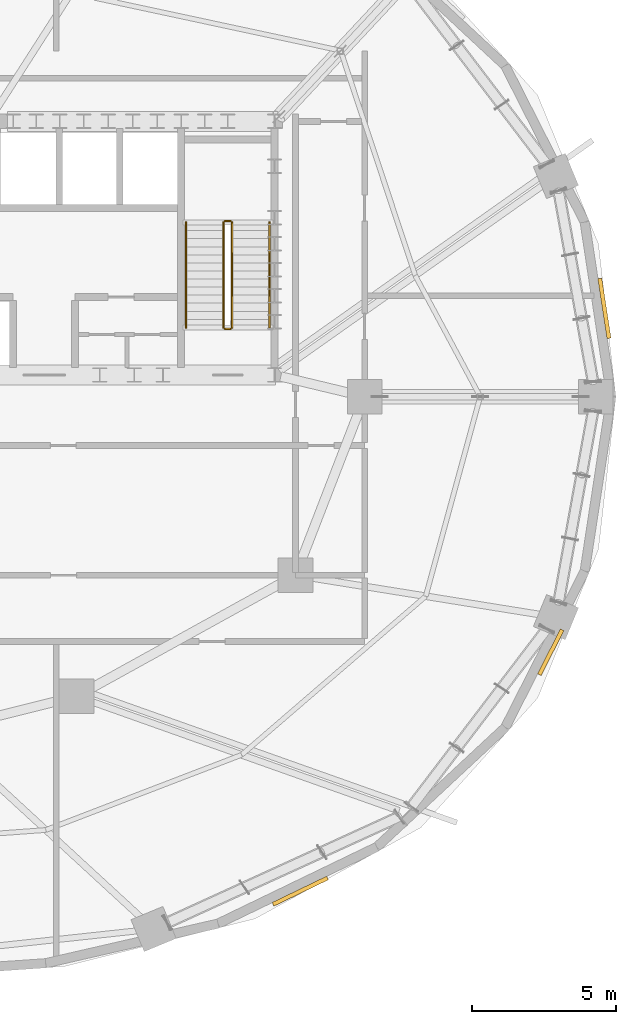
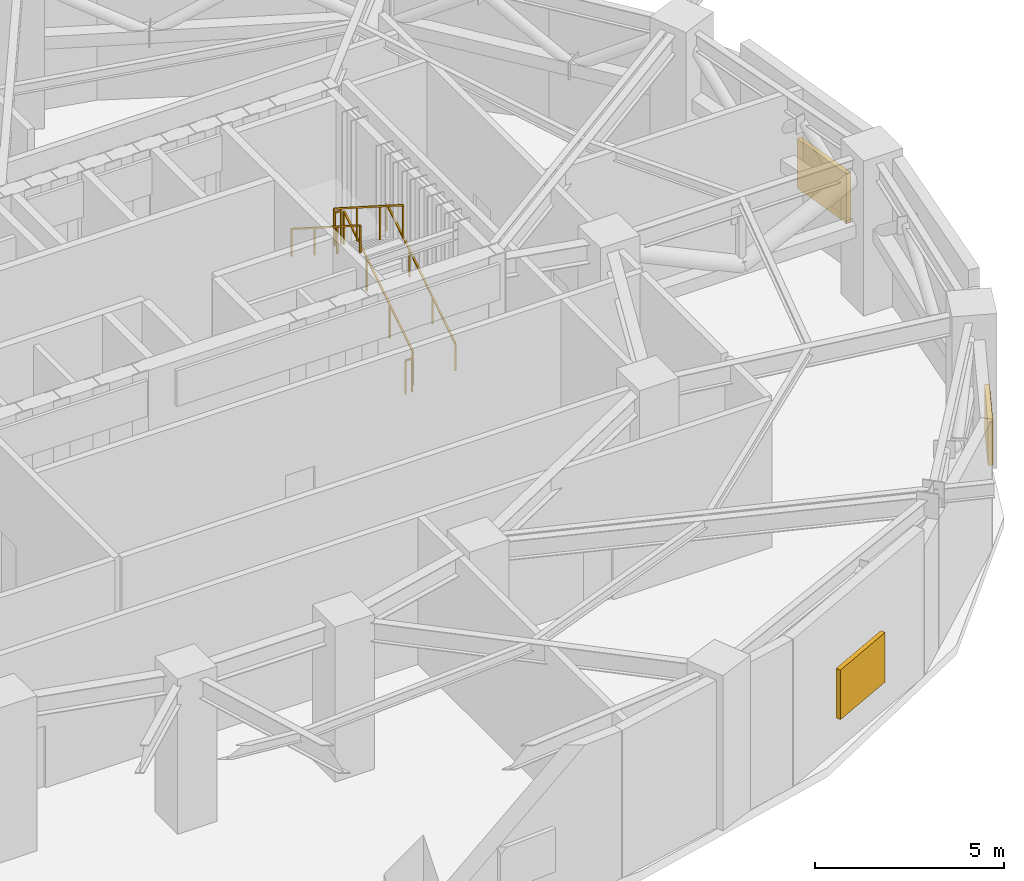
# One storey, part 16 of 17: 6 railings, 3 shading devices.
"""IFC4 building model written with IfcOpenShell, lengths in metres."""

from ifc_helpers import new_model, si_unit, direction, frame, origin, origin_2d, place, context, subcontext, project, spatial, rectangle, extrude, material, type_object, element, save


model = new_model("IFC4")

# Units and contexts
model_context = context("Model", 3, precision=1e-05, world=origin(), true_north=direction((0.0, 1.0)))
body_context = subcontext(model_context, "Body", "Model", "MODEL_VIEW")
ifc_project = project(units=[si_unit("LENGTHUNIT", "METRE"), si_unit("AREAUNIT", "SQUARE_METRE"), si_unit("VOLUMEUNIT", "CUBIC_METRE"), si_unit("PLANEANGLEUNIT", "RADIAN"), si_unit("MASSUNIT", "GRAM", prefix="KILO")], contexts=[model_context])

# Site, building, storey
site_placement = place(None, origin())
site = spatial("IfcSite", under=ifc_project, at=site_placement, CompositionType="ELEMENT")
building_placement = place(site_placement, origin())
building = spatial("IfcBuilding", under=site, at=building_placement, Name="Haldorwick Loom Tower", CompositionType="ELEMENT")
storey_placement = place(building_placement, frame((0.0, 0.0, 149.449951171875)))
storey = spatial("IfcBuildingStorey", under=building, at=storey_placement, Name="L40", CompositionType="ELEMENT", Elevation=149.449951171875)

# Railings
ifc_material_1 = material(Name="Steel CSA G40.21 350W", Category="steel")
railing_type_1 = type_object("IfcRailingType", Name="ARC-RLG-GUARD112", PredefinedType="GUARDRAIL", material=ifc_material_1)
railing_1_placement = place(storey_placement, frame((48.60009765625, 28.39990234375, 0.1787109375)))
element("IfcRailing", 1, at=railing_1_placement, inside=storey, type_object=railing_type_1, Name="L40 ST-02 stair guard 1", PredefinedType="GUARDRAIL", context=body_context, shape_type="SweptSolid", body=[
    extrude(rectangle(XDim=0.048095703125, YDim=0.048095703125, at=origin_2d()), frame((0.0, 0.0, 1.076171875), z_axis=(0.0, 0.843153495434, 0.537672933239), x_axis=(-1.0, 0.0, 0.0)), (0.0, 0.0, 1.0), 4.3173828125),
    extrude(rectangle(XDim=0.0419921875, YDim=0.0419921875, at=origin_2d()), origin(), (0.0, 0.0, 1.0), 1.052001953125),
    extrude(rectangle(XDim=0.0419921875, YDim=0.0419921875, at=origin_2d()), frame((0.0, 1.21337890625, 0.773681640625)), (0.0, 0.0, 1.0), 1.052001953125),
    extrude(rectangle(XDim=0.0419921875, YDim=0.0419921875, at=origin_2d()), frame((0.0, 2.4267578125, 1.547607421875)), (0.0, 0.0, 1.0), 1.052001953125),
    extrude(rectangle(XDim=0.0419921875, YDim=0.0419921875, at=origin_2d()), frame((0.0, 3.64013671875, 2.3212890625)), (0.0, 0.0, 1.0), 1.052001953125),
])
railing_2_placement = place(storey_placement, frame((48.550048828125, 32.090087890625, 2.5)))
element("IfcRailing", 2, at=railing_2_placement, inside=storey, type_object=railing_type_1, Name="L40 ST-02 stair guard 2", PredefinedType="GUARDRAIL", context=body_context, shape_type="SweptSolid", body=[
    extrude(rectangle(XDim=0.048095703125, YDim=0.048095703125, at=origin_2d()), frame((0.0, 0.0, 1.076171875), z_axis=(-1.0, 0.0, 0.0), x_axis=(0.0, -1.0, 0.0)), (0.0, 0.0, 1.0), 0.199951171875),
    extrude(rectangle(XDim=0.0419921875, YDim=0.0419921875, at=origin_2d()), origin(), (0.0, 0.0, 1.0), 1.052001953125),
    extrude(rectangle(XDim=0.0419921875, YDim=0.0419921875, at=origin_2d()), frame((-0.199951171875, 0.0, 0.0)), (0.0, 0.0, 1.0), 1.052001953125),
])
railing_3_placement = place(storey_placement, frame((48.300048828125, 32.0400390625, 2.6787109375)))
element("IfcRailing", 3, at=railing_3_placement, inside=storey, type_object=railing_type_1, Name="L40 ST-02 stair guard 3", PredefinedType="GUARDRAIL", context=body_context, shape_type="SweptSolid", body=[
    extrude(rectangle(XDim=0.048095703125, YDim=0.048095703125, at=origin_2d()), frame((0.0, 0.0, 1.076171875), z_axis=(0.0, -0.843153495434, 0.537672933239), x_axis=(1.0, 0.0, 0.0)), (0.0, 0.0, 1.0), 4.3173828125),
    extrude(rectangle(XDim=0.0419921875, YDim=0.0419921875, at=origin_2d()), origin(), (0.0, 0.0, 1.0), 1.052001953125),
    extrude(rectangle(XDim=0.0419921875, YDim=0.0419921875, at=origin_2d()), frame((0.0, -1.21337890625, 0.773681640625)), (0.0, 0.0, 1.0), 1.052001953125),
    extrude(rectangle(XDim=0.0419921875, YDim=0.0419921875, at=origin_2d()), frame((0.0, -2.4267578125, 1.547607421875)), (0.0, 0.0, 1.0), 1.052001953125),
    extrude(rectangle(XDim=0.0419921875, YDim=0.0419921875, at=origin_2d()), frame((0.0, -3.64013671875, 2.3212890625)), (0.0, 0.0, 1.0), 1.052001953125),
])
railing_4_placement = place(storey_placement, frame((48.550048828125, 28.35009765625, 0.0)))
element("IfcRailing", 4, at=railing_4_placement, inside=storey, type_object=railing_type_1, Name="L40 ST-02 stair guard 4", PredefinedType="GUARDRAIL", context=body_context, shape_type="SweptSolid", body=[
    extrude(rectangle(XDim=0.048095703125, YDim=0.048095703125, at=origin_2d()), frame((0.0, 0.0, 1.076171875), z_axis=(-1.0, 0.0, 0.0), x_axis=(0.0, -1.0, 0.0)), (0.0, 0.0, 1.0), 0.199951171875),
    extrude(rectangle(XDim=0.0419921875, YDim=0.0419921875, at=origin_2d()), origin(), (0.0, 0.0, 1.0), 1.052001953125),
    extrude(rectangle(XDim=0.0419921875, YDim=0.0419921875, at=origin_2d()), frame((-0.199951171875, 0.0, 0.0)), (0.0, 0.0, 1.0), 1.052001953125),
])
railing_type_2 = type_object("IfcRailingType", Name="ARC-RLG-HAND092", PredefinedType="HANDRAIL", material=ifc_material_1)
railing_5_placement = place(storey_placement, frame((49.89990234375, 28.39990234375, 0.1787109375)))
element("IfcRailing", 5, at=railing_5_placement, inside=storey, type_object=railing_type_2, Name="L40 ST-02 stair handrail 1", PredefinedType="HANDRAIL", context=body_context, shape_type="SweptSolid", body=[
    extrude(rectangle(XDim=0.048095703125, YDim=0.048095703125, at=origin_2d()), frame((0.0, 0.0, 0.8759765625), z_axis=(0.0, 0.843153495434, 0.537672933239), x_axis=(-1.0, 0.0, 0.0)), (0.0, 0.0, 1.0), 4.3173828125),
    extrude(rectangle(XDim=0.0419921875, YDim=0.0419921875, at=origin_2d()), origin(), (0.0, 0.0, 1.0), 0.851806640625),
    extrude(rectangle(XDim=0.0419921875, YDim=0.0419921875, at=origin_2d()), frame((0.0, 1.21337890625, 0.773681640625)), (0.0, 0.0, 1.0), 0.851806640625),
    extrude(rectangle(XDim=0.0419921875, YDim=0.0419921875, at=origin_2d()), frame((0.0, 2.4267578125, 1.547607421875)), (0.0, 0.0, 1.0), 0.851806640625),
    extrude(rectangle(XDim=0.0419921875, YDim=0.0419921875, at=origin_2d()), frame((0.0, 3.64013671875, 2.3212890625)), (0.0, 0.0, 1.0), 0.851806640625),
])
railing_6_placement = place(storey_placement, frame((47.0, 32.0400390625, 2.6787109375)))
element("IfcRailing", 6, at=railing_6_placement, inside=storey, type_object=railing_type_2, Name="L40 ST-02 stair handrail 2", PredefinedType="HANDRAIL", context=body_context, shape_type="SweptSolid", body=[
    extrude(rectangle(XDim=0.048095703125, YDim=0.048095703125, at=origin_2d()), frame((0.0, 0.0, 0.8759765625), z_axis=(0.0, -0.843153495434, 0.537672933239), x_axis=(1.0, 0.0, 0.0)), (0.0, 0.0, 1.0), 4.3173828125),
    extrude(rectangle(XDim=0.0419921875, YDim=0.0419921875, at=origin_2d()), origin(), (0.0, 0.0, 1.0), 0.851806640625),
    extrude(rectangle(XDim=0.0419921875, YDim=0.0419921875, at=origin_2d()), frame((0.0, -1.21337890625, 0.773681640625)), (0.0, 0.0, 1.0), 0.851806640625),
    extrude(rectangle(XDim=0.0419921875, YDim=0.0419921875, at=origin_2d()), frame((0.0, -2.4267578125, 1.547607421875)), (0.0, 0.0, 1.0), 0.851806640625),
    extrude(rectangle(XDim=0.0419921875, YDim=0.0419921875, at=origin_2d()), frame((0.0, -3.64013671875, 2.3212890625)), (0.0, 0.0, 1.0), 0.851806640625),
])

# Shading devices
ifc_material_2 = material(Name="Extruded Anodized Aluminium Weather Louvre", Category="aluminium")
shading_device_type_1 = type_object("IfcShadingDeviceType", Name="ARC-SHD-LOUVRE", PredefinedType="JALOUSIE", material=ifc_material_2)
for number, where, z_axis, x_axis, name in (
    (7, (61.518310546875, 29.0615234375, 1.050048828125), (0.0, 0.0, 1.0), (-0.151260820247, 0.988493886809, 0.0), "L40 Mechanical Intake Weather Louvre 1"),
    (8, (50.96435546875, 8.8388671875, 1.050048828125), (0.0, 0.0, 1.0), (0.900318771402, 0.435231099372, 0.0), "L40 Mechanical Intake Weather Louvre 21"),
):
    element("IfcShadingDevice", number, at=place(storey_placement, frame(where, z_axis=z_axis, x_axis=x_axis)), inside=storey, type_object=shading_device_type_1, Name=name, PredefinedType="JALOUSIE", context=body_context, shape_type="SweptSolid", body=[
        extrude(rectangle(XDim=2.10009765625, YDim=0.139892578125, at=origin_2d()), origin(), (0.0, 0.0, 1.0), 1.60009765625),
    ])
shading_device_type_2 = type_object("IfcShadingDeviceType", Name="ARC-SHD-LOUVRE2", PredefinedType="JALOUSIE", material=ifc_material_2)
shading_device_placement = place(storey_placement, frame((59.65625, 17.129638671875, 1.150146484375), z_axis=(0.0, 0.0, 1.0), x_axis=(0.452434709312, 0.891797529605, 0.0)))
element("IfcShadingDevice", 9, at=shading_device_placement, inside=storey, type_object=shading_device_type_2, Name="L40 Mechanical Intake Weather Louvre 23", PredefinedType="JALOUSIE", context=body_context, shape_type="SweptSolid", body=[
    extrude(rectangle(XDim=1.75, YDim=0.139892578125, at=origin_2d()), origin(), (0.0, 0.0, 1.0), 1.39990234375),
])

save(model, "model.ifc")
